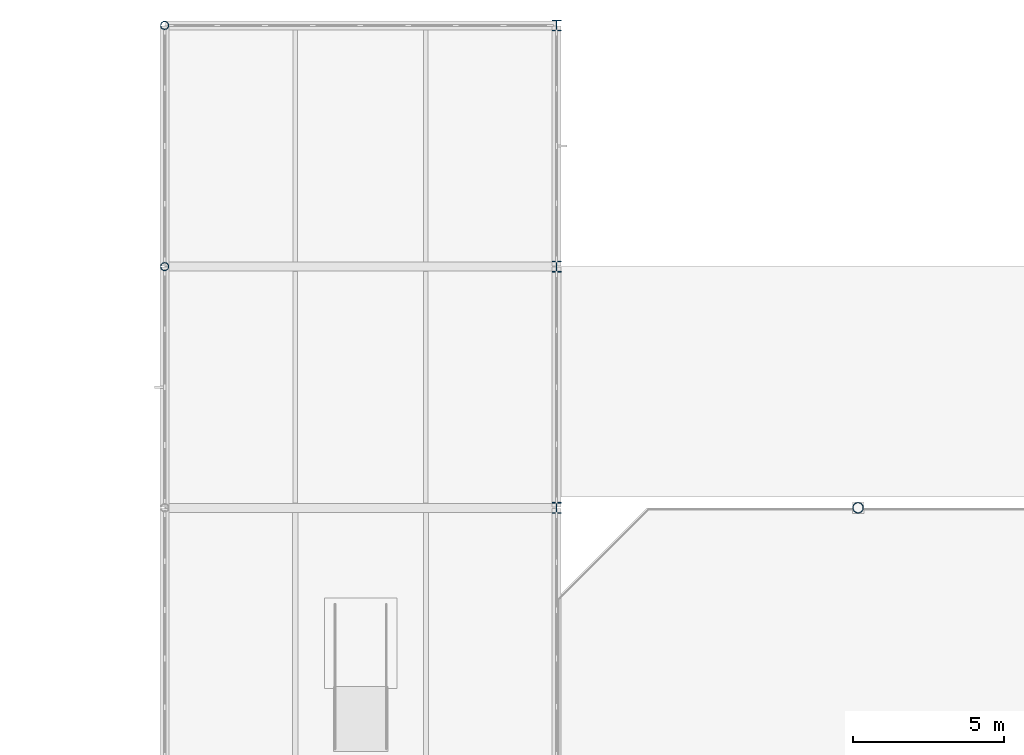
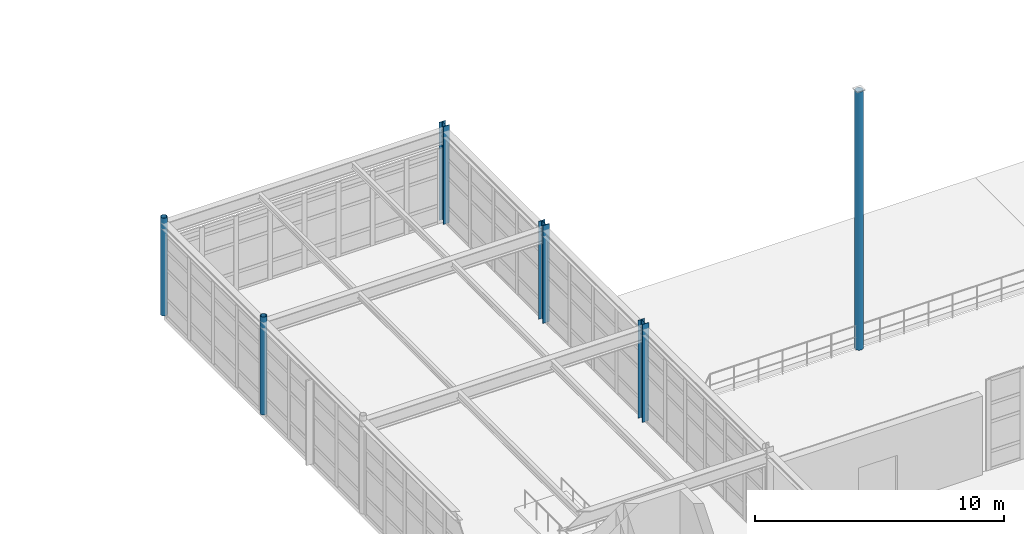
# One storey, part 13 of 139: 6 columns.
"""IFC4 building model written with IfcOpenShell, lengths in metres."""

import ifcopenshell
import ifcopenshell.guid

model = None  # the IFC model being written
_history = None  # IfcOwnerHistory: only IFC2X3 demands one
_inside = {}  # id of a spatial element -> (the spatial element, [elements in it])
_under = {}  # id of a project, library or spatial element -> (it, [spatial elements below it])
_declared = {}  # id of a project -> (the project, [libraries it declares])
_typed = {}  # id of a type object -> (the type object, [elements of that type])
_made_of = {}  # id of a material, layer set ... -> (it, [elements and type objects made of it])


def new_model(schema):
    """Start an empty IFC model of exactly this schema.

    Asked for "IFC4X3", IfcOpenShell would pick the latest addendum, in which some entities
    have other attributes; the version numbers below select the first issue.
    IFC2X3 requires an IfcOwnerHistory on every rooted entity: one is made here for all.
    """
    global model, _history
    if schema == "IFC4X3":
        model = ifcopenshell.file(schema_version=(4, 3, 0, 0))
    else:
        model = ifcopenshell.file(schema=schema)
    _inside.clear()
    _under.clear()
    _declared.clear()
    _typed.clear()
    _made_of.clear()
    _history = None
    if model.schema == "IFC2X3":
        org = make("IfcOrganization", Name="unknown")
        user = make(
            "IfcPersonAndOrganization",
            ThePerson=make("IfcPerson", FamilyName="unknown"),
            TheOrganization=org,
        )
        app = make(
            "IfcApplication",
            ApplicationDeveloper=org,
            Version="unknown",
            ApplicationFullName="unknown",
            ApplicationIdentifier="unknown",
        )
        _history = make(
            "IfcOwnerHistory",
            OwningUser=user,
            OwningApplication=app,
            ChangeAction="ADDED",
            CreationDate=0,
        )
    return model


def make(cls, **values):
    """One entity of the class cls with the attributes given. An attribute that is None is left unset."""
    return model.create_entity(
        cls, **{name: value for name, value in values.items() if value is not None}
    )


def rooted(cls, **values):
    """An entity with a GlobalId (a new one), such as an element, a storey or a relation."""
    return make(cls, GlobalId=ifcopenshell.guid.new(), OwnerHistory=_history, **values)


def si_unit(unit_type, name, prefix=None):
    """IfcSIUnit, for example si_unit("LENGTHUNIT", "METRE", prefix="MILLI")."""
    return make("IfcSIUnit", UnitType=unit_type, Prefix=prefix, Name=name)


def assignment(units):
    """IfcUnitAssignment: the units of a project."""
    return None if units is None else make("IfcUnitAssignment", Units=units)


def point(xyz):
    """IfcCartesianPoint."""
    return None if xyz is None else make("IfcCartesianPoint", Coordinates=xyz)


def direction(xyz):
    """IfcDirection."""
    return None if xyz is None else make("IfcDirection", DirectionRatios=xyz)


def frame(location, z_axis=None, x_axis=None):
    """IfcAxis2Placement3D, a coordinate frame: its origin and axes. An axis left out is left unset."""
    return make(
        "IfcAxis2Placement3D",
        Location=point(location),
        Axis=direction(z_axis),
        RefDirection=direction(x_axis),
    )


def frame_2d(location, x_axis=None):
    """IfcAxis2Placement2D, a coordinate frame in the plane: its origin and x axis."""
    return make(
        "IfcAxis2Placement2D", Location=point(location), RefDirection=direction(x_axis)
    )


def origin():
    """The frame at (0, 0, 0) with its axes left unset."""
    return frame((0.0, 0.0, 0.0))


def origin_2d():
    """The frame at (0, 0) in the plane with its x axis left unset."""
    return frame_2d((0.0, 0.0))


def place(relative_to, where):
    """IfcLocalPlacement: puts the frame where relative to a parent placement (None: the world)."""
    return make(
        "IfcLocalPlacement", PlacementRelTo=relative_to, RelativePlacement=where
    )


def context(
    kind, dimensions, precision=None, world=None, true_north=None, identifier=None
):
    """IfcGeometricRepresentationContext, for example the 3D "Model" context."""
    return make(
        "IfcGeometricRepresentationContext",
        ContextIdentifier=identifier,
        ContextType=kind,
        CoordinateSpaceDimension=dimensions,
        Precision=precision,
        WorldCoordinateSystem=world,
        TrueNorth=true_north,
    )


def subcontext(parent, identifier, kind, view, scale=None):
    """IfcGeometricRepresentationSubContext, for example "Body" below "Model"."""
    return make(
        "IfcGeometricRepresentationSubContext",
        ContextIdentifier=identifier,
        ContextType=kind,
        ParentContext=parent,
        TargetScale=scale,
        TargetView=view,
    )


def project(units=None, contexts=None):
    """IfcProject with its units and contexts."""
    return rooted(
        "IfcProject",
        Name="project",
        RepresentationContexts=contexts,
        UnitsInContext=assignment(units),
    )


def spatial(cls, under=None, at=None, **own):
    """A site, building, storey or space (cls), placed at a placement, below another one or the project."""
    s = rooted(cls, ObjectPlacement=at, **own)
    if under is not None:
        _under.setdefault(under.id(), (under, []))[1].append(s)
    return s


def profile(cls, at=None, kind="AREA", **sizes):
    """A parametric profile (cls). Its sizes go by their IFC names, for example OverallWidth=200.0."""
    return make(cls, ProfileType=kind, Position=at, **sizes)


def hollow_circle(**sizes):
    """IfcCircleHollowProfileDef."""
    return profile("IfcCircleHollowProfileDef", **sizes)


def i_section(**sizes):
    """IfcIShapeProfileDef."""
    return profile("IfcIShapeProfileDef", **sizes)


def extrude(swept, where, along, depth):
    """IfcExtrudedAreaSolid: the profile swept, set in the frame where, extruded along a direction by depth."""
    return make(
        "IfcExtrudedAreaSolid",
        SweptArea=swept,
        Position=where,
        ExtrudedDirection=direction(along),
        Depth=depth,
    )


def shape(context_of_items, identifier, shape_type, items):
    """IfcShapeRepresentation: the items that make up one representation, for example the "Body"."""
    return make(
        "IfcShapeRepresentation",
        ContextOfItems=context_of_items,
        RepresentationIdentifier=identifier,
        RepresentationType=shape_type,
        Items=items,
    )


def material(Name=None, Category=None):
    """IfcMaterial."""
    return make("IfcMaterial", Name=Name, Category=Category)


def material_profile(
    of_material, cross_section, Name=None, Category=None, Priority=None
):
    """IfcMaterialProfile: a cross section and its material."""
    return make(
        "IfcMaterialProfile",
        Name=Name,
        Material=of_material,
        Profile=cross_section,
        Priority=Priority,
        Category=Category,
    )


def profile_set(profiles, Name=None, composite=None):
    """IfcMaterialProfileSet."""
    return make(
        "IfcMaterialProfileSet",
        Name=Name,
        MaterialProfiles=profiles,
        CompositeProfile=composite,
    )


def made_of(thing, what):
    """Note that an element or type object is made of a material, layer set ...; save() writes the relation."""
    if what is not None:
        _made_of.setdefault(what.id(), (what, []))[1].append(thing)
    return thing


def type_object(cls, material=None, **own):
    """A type object (cls), such as IfcWallType, which elements share."""
    return made_of(rooted(cls, **own), material)


def element(
    cls,
    number,
    at=None,
    inside=None,
    cuts=None,
    type_object=None,
    material=None,
    context=None,
    identifier="Body",
    shape_type=None,
    held_by="IfcProductDefinitionShape",
    body=None,
    shapes=None,
    **own,
):
    """One element of the class cls, such as IfcWall. Its Tag is "e" and its number.

    at: its placement. inside: the storey or other place that contains it. cuts: it is an
    opening in that element (IfcRelVoidsElement). A single representation is given by context,
    identifier, shape_type and body (its items); several are given by shapes. held_by: the class
    of the entity that holds the representations. save() writes the other relations.
    """
    e = rooted(cls, Tag="e%d" % number, ObjectPlacement=at, **own)
    if body is not None:
        shapes = [shape(context, identifier, shape_type, body)]
    if shapes is not None:
        e.Representation = make(held_by, Representations=shapes)
    if inside is not None:
        _inside.setdefault(inside.id(), (inside, []))[1].append(e)
    if cuts is not None:
        rooted(
            "IfcRelVoidsElement", RelatingBuildingElement=cuts, RelatedOpeningElement=e
        )
    if type_object is not None:
        _typed.setdefault(type_object.id(), (type_object, []))[1].append(e)
    return made_of(e, material)


def aggregate(whole, parts):
    """IfcRelAggregates: a whole, such as a stair, and the parts it consists of."""
    return rooted("IfcRelAggregates", RelatingObject=whole, RelatedObjects=parts)


def save(model, path):
    """Write the relations noted so far, then the file.

    IfcRelAggregates (storeys below a building ...), IfcRelContainedInSpatialStructure (elements
    in a storey), IfcRelDefinesByType, IfcRelAssociatesMaterial and IfcRelDeclares: one each for
    every whole, place, type object, material and project.
    """
    for whole, parts in _under.values():
        aggregate(whole, parts)
    for where, things in _inside.values():
        rooted(
            "IfcRelContainedInSpatialStructure",
            RelatedElements=things,
            RelatingStructure=where,
        )
    for kind, things in _typed.values():
        rooted("IfcRelDefinesByType", RelatedObjects=things, RelatingType=kind)
    for what, things in _made_of.values():
        rooted("IfcRelAssociatesMaterial", RelatedObjects=things, RelatingMaterial=what)
    for by, libraries in _declared.values():
        rooted("IfcRelDeclares", RelatingContext=by, RelatedDefinitions=libraries)
    model.write(path)


model = new_model("IFC4")

# Units and contexts
model_context = context("Model", 3, precision=1e-05, world=origin(), true_north=direction((0.0, 1.0)))
body_context = subcontext(model_context, "Body", "Model", "MODEL_VIEW")
ifc_project = project(units=[si_unit("LENGTHUNIT", "METRE"), si_unit("AREAUNIT", "SQUARE_METRE"), si_unit("VOLUMEUNIT", "CUBIC_METRE"), si_unit("PLANEANGLEUNIT", "RADIAN"), si_unit("MASSUNIT", "GRAM", prefix="KILO"), si_unit("THERMODYNAMICTEMPERATUREUNIT", "KELVIN"), si_unit("POWERUNIT", "WATT")], contexts=[model_context])

# Site, building, storey
site_placement = place(None, origin())
site = spatial("IfcSite", under=ifc_project, at=site_placement, CompositionType="ELEMENT")
building_placement = place(site_placement, origin())
building = spatial("IfcBuilding", under=site, at=building_placement, Name="Korenveer Ferry Terminal", CompositionType="ELEMENT")
storey_placement = place(building_placement, frame((0.0, 0.0, 5.39990234375)))
storey = spatial("IfcBuildingStorey", under=building, at=storey_placement, Name="L01", CompositionType="ELEMENT", Elevation=5.39990234375)

# Columns
ifc_material = material(Name="Steel S355", Category="steel")
ifc_material_profile_1 = material_profile(ifc_material, hollow_circle(Radius=0.136474609375, WallThickness=0.012451171875, at=origin_2d()), Name="CHS 273x12.5")
ifc_profile_set_1 = profile_set([ifc_material_profile_1], Name="Steel S355")
column_type_1 = type_object("IfcColumnType", Name="STR-COL-CHS273", PredefinedType="COLUMN", material=ifc_profile_set_1)
for number, where, z_axis, x_axis, name in (
    (1, (40.0, 108.0, 0.0), (0.0, 0.0, 1.0), (1.0, 0.0, 0.0), "Column COL-L01-X40-Y108"),
    (2, (40.0, 116.0, 0.0), (0.0, 0.0, 1.0), (1.0, 0.0, 0.0), "Column COL-L01-X40-Y116"),
):
    element("IfcColumn", number, at=place(storey_placement, frame(where, z_axis=z_axis, x_axis=x_axis)), inside=storey, type_object=column_type_1, Name=name, PredefinedType="COLUMN", context=body_context, shape_type="SweptSolid", body=[
        extrude(hollow_circle(Radius=0.136474609375, WallThickness=0.012451171875, at=origin_2d()), origin(), (0.0, 0.0, 1.0), 4.800048828125),
    ])
ifc_material_profile_2 = material_profile(ifc_material, hollow_circle(Radius=0.177734375, WallThickness=0.01611328125, at=origin_2d()), Name="CHS 355.6x16")
ifc_profile_set_2 = profile_set([ifc_material_profile_2], Name="Steel S355")
column_type_2 = type_object("IfcColumnType", Name="STR-COL-CHS355", PredefinedType="COLUMN", material=ifc_profile_set_2)
column_placement = place(storey_placement, frame((63.0, 100.0, 0.002197265625), z_axis=(0.0, 0.0, 1.0), x_axis=(1.0, 0.0, 0.0)))
element("IfcColumn", 3, at=column_placement, inside=storey, type_object=column_type_2, Name="Folded roof valley support column RCOL-X63-Y100", PredefinedType="COLUMN", context=body_context, shape_type="SweptSolid", body=[
    extrude(hollow_circle(Radius=0.177734375, WallThickness=0.01611328125, at=origin_2d()), origin(), (0.0, 0.0, 1.0), 12.66015625),
])
ifc_material_profile_3 = material_profile(ifc_material, i_section(OverallWidth=0.300048828125, OverallDepth=0.360107421875, WebThickness=0.012451171875, FlangeThickness=0.0224609375, FilletRadius=0.027099609375, at=origin_2d()), Name="HEB 360")
ifc_profile_set_3 = profile_set([ifc_material_profile_3], Name="Steel S355")
column_type_3 = type_object("IfcColumnType", Name="STR-COL-HEB360", PredefinedType="COLUMN", material=ifc_profile_set_3)
for number, where, z_axis, x_axis, name in (
    (4, (53.0, 100.0, 0.0), (0.0, 0.0, 1.0), (1.0, 0.0, 0.0), "Column COL-L01-X53-Y100"),
    (5, (53.0, 108.0, 0.0), (0.0, 0.0, 1.0), (1.0, 0.0, 0.0), "Column COL-L01-X53-Y108"),
    (6, (53.0, 116.0, 0.0), (0.0, 0.0, 1.0), (1.0, 0.0, 0.0), "Column COL-L01-X53-Y116"),
):
    element("IfcColumn", number, at=place(storey_placement, frame(where, z_axis=z_axis, x_axis=x_axis)), inside=storey, type_object=column_type_3, Name=name, PredefinedType="COLUMN", context=body_context, shape_type="SweptSolid", body=[
        extrude(i_section(OverallWidth=0.300048828125, OverallDepth=0.360107421875, WebThickness=0.012451171875, FlangeThickness=0.0224609375, FilletRadius=0.027099609375, at=origin_2d()), origin(), (0.0, 0.0, 1.0), 4.800048828125),
    ])

save(model, "model.ifc")
